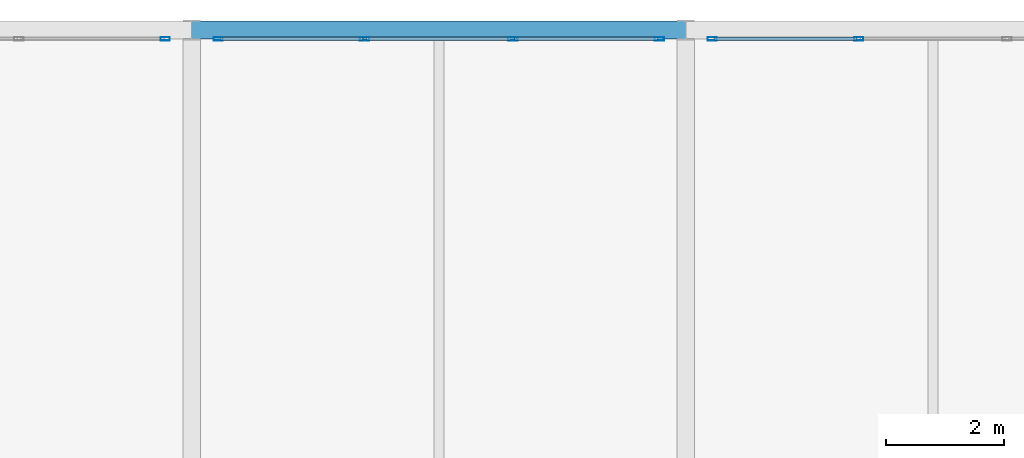
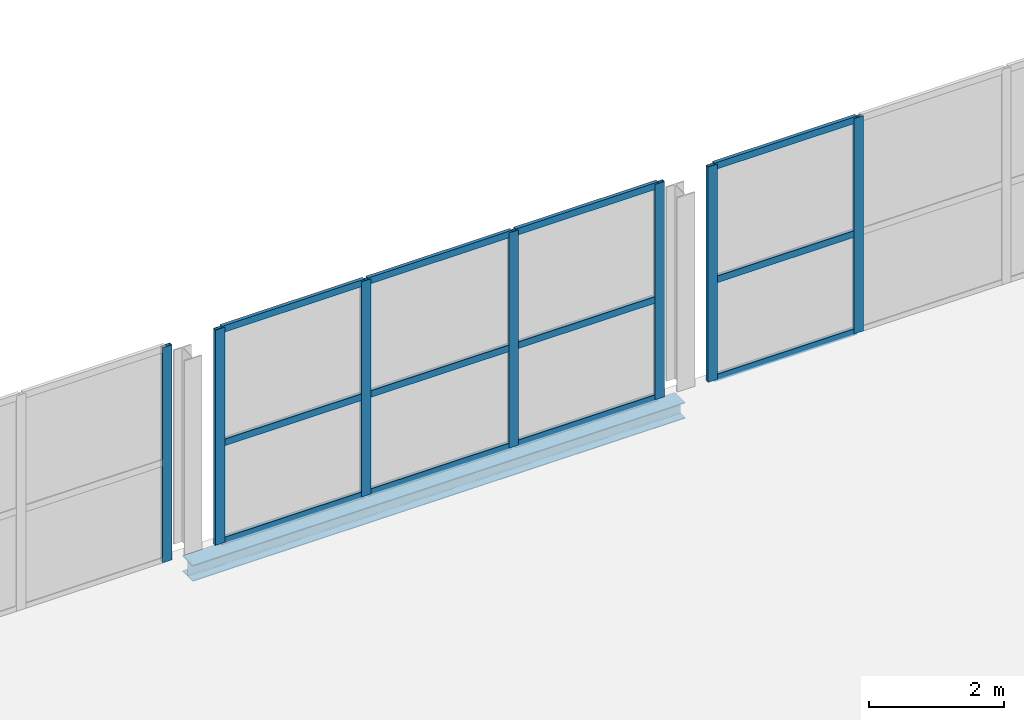
# One storey, part 63 of 103: 19 members, 1 beam, 3 elements without a shape of their own.
"""IFC4 building model written with IfcOpenShell, lengths in metres."""

from ifc_helpers import new_model, si_unit, direction, frame, origin, origin_2d, place, context, subcontext, project, spatial, hollow_rectangle, i_section, extrude, material, material_profile, profile_set, type_object, element, aggregate, save


model = new_model("IFC4")

# Units and contexts
model_context = context("Model", 3, precision=1e-05, world=origin(), true_north=direction((0.0, 1.0)))
body_context = subcontext(model_context, "Body", "Model", "MODEL_VIEW")
ifc_project = project(units=[si_unit("LENGTHUNIT", "METRE"), si_unit("AREAUNIT", "SQUARE_METRE"), si_unit("VOLUMEUNIT", "CUBIC_METRE"), si_unit("PLANEANGLEUNIT", "RADIAN"), si_unit("MASSUNIT", "GRAM", prefix="KILO")], contexts=[model_context])

# Site, building, storey
site_placement = place(None, origin())
site = spatial("IfcSite", under=ifc_project, at=site_placement, CompositionType="ELEMENT")
building_placement = place(site_placement, origin())
building = spatial("IfcBuilding", under=site, at=building_placement, Name="Veltarok Museum of Natural Sciences", CompositionType="ELEMENT")
storey_placement = place(building_placement, frame((0.0, 0.0, 21.89990234375)))
storey = spatial("IfcBuildingStorey", under=building, at=storey_placement, Name="L04", CompositionType="ELEMENT", Elevation=21.89990234375)

# Curtain wall, members
ifc_material_1 = material(Name="Low-iron triple insulated glass", Category="glass")
curtain_wall_type_1 = type_object("IfcCurtainWallType", Name="Curtain Wall System CW-V2N-L04-7-756x388 (V2 North Hall L04 7-8 756x388cm)", PredefinedType="NOTDEFINED", material=ifc_material_1)
curtain_wall_1_placement = place(storey_placement, origin())
curtain_wall_1 = element("IfcCurtainWall", 1, at=curtain_wall_1_placement, inside=storey, type_object=curtain_wall_type_1, Name="Curtain Wall CW-V2N-L04-7-756x388 CW-0062", PredefinedType="NOTDEFINED")
ifc_material_2 = material(Name="Thermally broken anodised aluminium", Category="aluminium")
ifc_material_profile_1 = material_profile(ifc_material_2, hollow_rectangle(XDim=0.06005859375, YDim=0.1201171875, WallThickness=0.0048828125, at=origin_2d()), Name="CW TRANSOM 60x120x5")
ifc_profile_set_1 = profile_set([ifc_material_profile_1], Name="Thermally broken anodised aluminium")
member_type_1 = type_object("IfcMemberType", Name="Curtain Wall Horizontal Transom 60x120x5", PredefinedType="USERDEFINED", material=ifc_profile_set_1)
member_1_placement = place(storey_placement, frame((64.719970703125, 71.85009765625, 0.030029296875), z_axis=(-1.0, 0.0, 0.0), x_axis=(0.0, -1.0, 0.0)))
member_1 = element("IfcMember", 2, at=member_1_placement, type_object=member_type_1, Name="CW-V2N-L04-7-756x388 transom 1.1", ObjectType="TRANSOM", PredefinedType="USERDEFINED", context=body_context, shape_type="SweptSolid", body=[
    extrude(hollow_rectangle(XDim=0.06005859375, YDim=0.1201171875, WallThickness=0.0048828125, at=origin_2d()), origin(), (0.0, 0.0, 1.0), 2.429931640625),
])
member_2_placement = place(storey_placement, frame((64.719970703125, 71.85009765625, 1.800048828125), z_axis=(-1.0, 0.0, 0.0), x_axis=(0.0, -1.0, 0.0)))
member_2 = element("IfcMember", 3, at=member_2_placement, type_object=member_type_1, Name="CW-V2N-L04-7-756x388 transom 1.2", ObjectType="TRANSOM", PredefinedType="USERDEFINED", context=body_context, shape_type="SweptSolid", body=[
    extrude(hollow_rectangle(XDim=0.06005859375, YDim=0.1201171875, WallThickness=0.0048828125, at=origin_2d()), origin(), (0.0, 0.0, 1.0), 2.429931640625),
])
member_3_placement = place(storey_placement, frame((64.719970703125, 71.85009765625, 3.85009765625), z_axis=(-1.0, 0.0, 0.0), x_axis=(0.0, -1.0, 0.0)))
member_3 = element("IfcMember", 4, at=member_3_placement, type_object=member_type_1, Name="CW-V2N-L04-7-756x388 transom 1.3", ObjectType="TRANSOM", PredefinedType="USERDEFINED", context=body_context, shape_type="SweptSolid", body=[
    extrude(hollow_rectangle(XDim=0.06005859375, YDim=0.1201171875, WallThickness=0.0048828125, at=origin_2d()), origin(), (0.0, 0.0, 1.0), 2.429931640625),
])
member_4_placement = place(storey_placement, frame((62.22998046875, 71.85009765625, 0.030029296875), z_axis=(-1.0, 0.0, 0.0), x_axis=(0.0, -1.0, 0.0)))
member_4 = element("IfcMember", 5, at=member_4_placement, type_object=member_type_1, Name="CW-V2N-L04-7-756x388 transom 2.1", ObjectType="TRANSOM", PredefinedType="USERDEFINED", context=body_context, shape_type="SweptSolid", body=[
    extrude(hollow_rectangle(XDim=0.06005859375, YDim=0.1201171875, WallThickness=0.0048828125, at=origin_2d()), origin(), (0.0, 0.0, 1.0), 2.4599609375),
])
member_5_placement = place(storey_placement, frame((62.22998046875, 71.85009765625, 1.800048828125), z_axis=(-1.0, 0.0, 0.0), x_axis=(0.0, -1.0, 0.0)))
member_5 = element("IfcMember", 6, at=member_5_placement, type_object=member_type_1, Name="CW-V2N-L04-7-756x388 transom 2.2", ObjectType="TRANSOM", PredefinedType="USERDEFINED", context=body_context, shape_type="SweptSolid", body=[
    extrude(hollow_rectangle(XDim=0.06005859375, YDim=0.1201171875, WallThickness=0.0048828125, at=origin_2d()), origin(), (0.0, 0.0, 1.0), 2.4599609375),
])
member_6_placement = place(storey_placement, frame((62.22998046875, 71.85009765625, 3.85009765625), z_axis=(-1.0, 0.0, 0.0), x_axis=(0.0, -1.0, 0.0)))
member_6 = element("IfcMember", 7, at=member_6_placement, type_object=member_type_1, Name="CW-V2N-L04-7-756x388 transom 2.3", ObjectType="TRANSOM", PredefinedType="USERDEFINED", context=body_context, shape_type="SweptSolid", body=[
    extrude(hollow_rectangle(XDim=0.06005859375, YDim=0.1201171875, WallThickness=0.0048828125, at=origin_2d()), origin(), (0.0, 0.0, 1.0), 2.4599609375),
])
member_7_placement = place(storey_placement, frame((59.7099609375, 71.85009765625, 0.030029296875), z_axis=(-1.0, 0.0, 0.0), x_axis=(0.0, -1.0, 0.0)))
member_7 = element("IfcMember", 8, at=member_7_placement, type_object=member_type_1, Name="CW-V2N-L04-7-756x388 transom 3.1", ObjectType="TRANSOM", PredefinedType="USERDEFINED", context=body_context, shape_type="SweptSolid", body=[
    extrude(hollow_rectangle(XDim=0.06005859375, YDim=0.1201171875, WallThickness=0.0048828125, at=origin_2d()), origin(), (0.0, 0.0, 1.0), 2.429931640625),
])
member_8_placement = place(storey_placement, frame((59.7099609375, 71.85009765625, 1.800048828125), z_axis=(-1.0, 0.0, 0.0), x_axis=(0.0, -1.0, 0.0)))
member_8 = element("IfcMember", 9, at=member_8_placement, type_object=member_type_1, Name="CW-V2N-L04-7-756x388 transom 3.2", ObjectType="TRANSOM", PredefinedType="USERDEFINED", context=body_context, shape_type="SweptSolid", body=[
    extrude(hollow_rectangle(XDim=0.06005859375, YDim=0.1201171875, WallThickness=0.0048828125, at=origin_2d()), origin(), (0.0, 0.0, 1.0), 2.429931640625),
])
member_9_placement = place(storey_placement, frame((59.7099609375, 71.85009765625, 3.85009765625), z_axis=(-1.0, 0.0, 0.0), x_axis=(0.0, -1.0, 0.0)))
member_9 = element("IfcMember", 10, at=member_9_placement, type_object=member_type_1, Name="CW-V2N-L04-7-756x388 transom 3.3", ObjectType="TRANSOM", PredefinedType="USERDEFINED", context=body_context, shape_type="SweptSolid", body=[
    extrude(hollow_rectangle(XDim=0.06005859375, YDim=0.1201171875, WallThickness=0.0048828125, at=origin_2d()), origin(), (0.0, 0.0, 1.0), 2.429931640625),
])

curtain_wall_type_2 = type_object("IfcCurtainWallType", Name="Curtain Wall System CW-V2N-L04-8-756x388 (V2 North Hall L04 8-9 756x388cm)", PredefinedType="NOTDEFINED", material=ifc_material_1)
curtain_wall_2_placement = place(storey_placement, origin())
curtain_wall_2 = element("IfcCurtainWall", 11, at=curtain_wall_2_placement, inside=storey, type_object=curtain_wall_type_2, Name="Curtain Wall CW-V2N-L04-8-756x388 CW-0063", PredefinedType="NOTDEFINED")
member_10_placement = place(storey_placement, frame((68.110107421875, 71.85009765625, 0.030029296875), z_axis=(-1.0, 0.0, 0.0), x_axis=(0.0, -1.0, 0.0)))
member_10 = element("IfcMember", 12, at=member_10_placement, type_object=member_type_1, Name="CW-V2N-L04-8-756x388 transom 3.1", ObjectType="TRANSOM", PredefinedType="USERDEFINED", context=body_context, shape_type="SweptSolid", body=[
    extrude(hollow_rectangle(XDim=0.06005859375, YDim=0.1201171875, WallThickness=0.0048828125, at=origin_2d()), origin(), (0.0, 0.0, 1.0), 2.43017578125),
])
member_11_placement = place(storey_placement, frame((68.110107421875, 71.85009765625, 1.800048828125), z_axis=(-1.0, 0.0, 0.0), x_axis=(0.0, -1.0, 0.0)))
member_11 = element("IfcMember", 13, at=member_11_placement, type_object=member_type_1, Name="CW-V2N-L04-8-756x388 transom 3.2", ObjectType="TRANSOM", PredefinedType="USERDEFINED", context=body_context, shape_type="SweptSolid", body=[
    extrude(hollow_rectangle(XDim=0.06005859375, YDim=0.1201171875, WallThickness=0.0048828125, at=origin_2d()), origin(), (0.0, 0.0, 1.0), 2.43017578125),
])
member_12_placement = place(storey_placement, frame((68.110107421875, 71.85009765625, 3.85009765625), z_axis=(-1.0, 0.0, 0.0), x_axis=(0.0, -1.0, 0.0)))
member_12 = element("IfcMember", 14, at=member_12_placement, type_object=member_type_1, Name="CW-V2N-L04-8-756x388 transom 3.3", ObjectType="TRANSOM", PredefinedType="USERDEFINED", context=body_context, shape_type="SweptSolid", body=[
    extrude(hollow_rectangle(XDim=0.06005859375, YDim=0.1201171875, WallThickness=0.0048828125, at=origin_2d()), origin(), (0.0, 0.0, 1.0), 2.43017578125),
])

# Curtain wall, member
curtain_wall_type_3 = type_object("IfcCurtainWallType", Name="Curtain Wall System CW-V2N-L04-6-756x388 (V2 North Hall L04 6-7 756x388cm)", PredefinedType="NOTDEFINED", material=ifc_material_1)
curtain_wall_3_placement = place(storey_placement, origin())
curtain_wall_3 = element("IfcCurtainWall", 15, at=curtain_wall_3_placement, inside=storey, type_object=curtain_wall_type_3, Name="Curtain Wall CW-V2N-L04-6-756x388 CW-0061", PredefinedType="NOTDEFINED")
ifc_material_profile_2 = material_profile(ifc_material_2, hollow_rectangle(XDim=0.06005859375, YDim=0.159912109375, WallThickness=0.0048828125, at=origin_2d()), Name="CW MULLION 60x160x5")
ifc_profile_set_2 = profile_set([ifc_material_profile_2], Name="Thermally broken anodised aluminium")
member_type_2 = type_object("IfcMemberType", Name="Curtain Wall Vertical Mullion 60x160x5", PredefinedType="MULLION", material=ifc_profile_set_2)
member_13_placement = place(storey_placement, frame((56.35009765625, 71.85009765625, 0.0), z_axis=(0.0, 0.0, 1.0), x_axis=(0.0, -1.0, 0.0)))
member_13 = element("IfcMember", 16, at=member_13_placement, type_object=member_type_2, Name="CW-V2N-L04-6-756x388 mullion 1", PredefinedType="MULLION", context=body_context, shape_type="SweptSolid", body=[
    extrude(hollow_rectangle(XDim=0.06005859375, YDim=0.159912109375, WallThickness=0.0048828125, at=origin_2d()), origin(), (0.0, 0.0, 1.0), 3.880126953125),
])
aggregate(curtain_wall_3, [member_13])

# Member
member_14_placement = place(storey_placement, frame((64.75, 71.85009765625, 0.0), z_axis=(0.0, 0.0, 1.0), x_axis=(0.0, -1.0, 0.0)))
member_14 = element("IfcMember", 17, at=member_14_placement, type_object=member_type_2, Name="CW-V2N-L04-7-756x388 mullion 1", PredefinedType="MULLION", context=body_context, shape_type="SweptSolid", body=[
    extrude(hollow_rectangle(XDim=0.06005859375, YDim=0.159912109375, WallThickness=0.0048828125, at=origin_2d()), origin(), (0.0, 0.0, 1.0), 3.880126953125),
])

member_15_placement = place(storey_placement, frame((62.260009765625, 71.85009765625, 0.0), z_axis=(0.0, 0.0, 1.0), x_axis=(0.0, -1.0, 0.0)))
member_15 = element("IfcMember", 18, at=member_15_placement, type_object=member_type_2, Name="CW-V2N-L04-7-756x388 mullion 2", PredefinedType="MULLION", context=body_context, shape_type="SweptSolid", body=[
    extrude(hollow_rectangle(XDim=0.06005859375, YDim=0.159912109375, WallThickness=0.0048828125, at=origin_2d()), origin(), (0.0, 0.0, 1.0), 3.880126953125),
])

member_16_placement = place(storey_placement, frame((59.739990234375, 71.85009765625, 0.0), z_axis=(0.0, 0.0, 1.0), x_axis=(0.0, -1.0, 0.0)))
member_16 = element("IfcMember", 19, at=member_16_placement, type_object=member_type_2, Name="CW-V2N-L04-7-756x388 mullion 3", PredefinedType="MULLION", context=body_context, shape_type="SweptSolid", body=[
    extrude(hollow_rectangle(XDim=0.06005859375, YDim=0.159912109375, WallThickness=0.0048828125, at=origin_2d()), origin(), (0.0, 0.0, 1.0), 3.880126953125),
])

member_17_placement = place(storey_placement, frame((57.25, 71.85009765625, 0.0), z_axis=(0.0, 0.0, 1.0), x_axis=(0.0, -1.0, 0.0)))
member_17 = element("IfcMember", 20, at=member_17_placement, type_object=member_type_2, Name="CW-V2N-L04-7-756x388 mullion 4", PredefinedType="MULLION", context=body_context, shape_type="SweptSolid", body=[
    extrude(hollow_rectangle(XDim=0.06005859375, YDim=0.159912109375, WallThickness=0.0048828125, at=origin_2d()), origin(), (0.0, 0.0, 1.0), 3.880126953125),
])

aggregate(curtain_wall_1, [member_14, member_15, member_16, member_17, member_1, member_2, member_3, member_4, member_5, member_6, member_7, member_8, member_9])

member_18_placement = place(storey_placement, frame((68.139892578125, 71.85009765625, 0.0), z_axis=(0.0, 0.0, 1.0), x_axis=(0.0, -1.0, 0.0)))
member_18 = element("IfcMember", 21, at=member_18_placement, type_object=member_type_2, Name="CW-V2N-L04-8-756x388 mullion 3", PredefinedType="MULLION", context=body_context, shape_type="SweptSolid", body=[
    extrude(hollow_rectangle(XDim=0.06005859375, YDim=0.159912109375, WallThickness=0.0048828125, at=origin_2d()), origin(), (0.0, 0.0, 1.0), 3.880126953125),
])

member_19_placement = place(storey_placement, frame((65.64990234375, 71.85009765625, 0.0), z_axis=(0.0, 0.0, 1.0), x_axis=(0.0, -1.0, 0.0)))
member_19 = element("IfcMember", 22, at=member_19_placement, type_object=member_type_2, Name="CW-V2N-L04-8-756x388 mullion 4", PredefinedType="MULLION", context=body_context, shape_type="SweptSolid", body=[
    extrude(hollow_rectangle(XDim=0.06005859375, YDim=0.159912109375, WallThickness=0.0048828125, at=origin_2d()), origin(), (0.0, 0.0, 1.0), 3.880126953125),
])

aggregate(curtain_wall_2, [member_18, member_19, member_10, member_11, member_12])

# Beam
ifc_material_3 = material(Name="Steel S355J2", Category="steel")
ifc_material_profile_3 = material_profile(ifc_material_3, i_section(OverallWidth=0.300048828125, OverallDepth=0.2900390625, WebThickness=0.008544921875, FlangeThickness=0.013916015625, FilletRadius=0.027099609375, at=origin_2d()), Name="HEA 300")
ifc_profile_set_3 = profile_set([ifc_material_profile_3], Name="Steel S355J2")
beam_type = type_object("IfcBeamType", Name="Glazed Hall Edge Spandrel HEA 300", PredefinedType="SPANDREL", material=ifc_profile_set_3)
beam_placement = place(storey_placement, frame((56.800048828125, 72.0, -0.39501953125), z_axis=(1.0, 0.0, 0.0), x_axis=(0.0, 1.0, 0.0)))
element("IfcBeam", 23, at=beam_placement, inside=storey, type_object=beam_type, Name="Beam BM-SP03 L04 7-8/H", PredefinedType="SPANDREL", context=body_context, shape_type="SweptSolid", body=[
    extrude(i_section(OverallWidth=0.300048828125, OverallDepth=0.2900390625, WebThickness=0.008544921875, FlangeThickness=0.013916015625, FilletRadius=0.027099609375, at=origin_2d()), origin(), (0.0, 0.0, 1.0), 8.39990234375),
])

save(model, "model.ifc")
